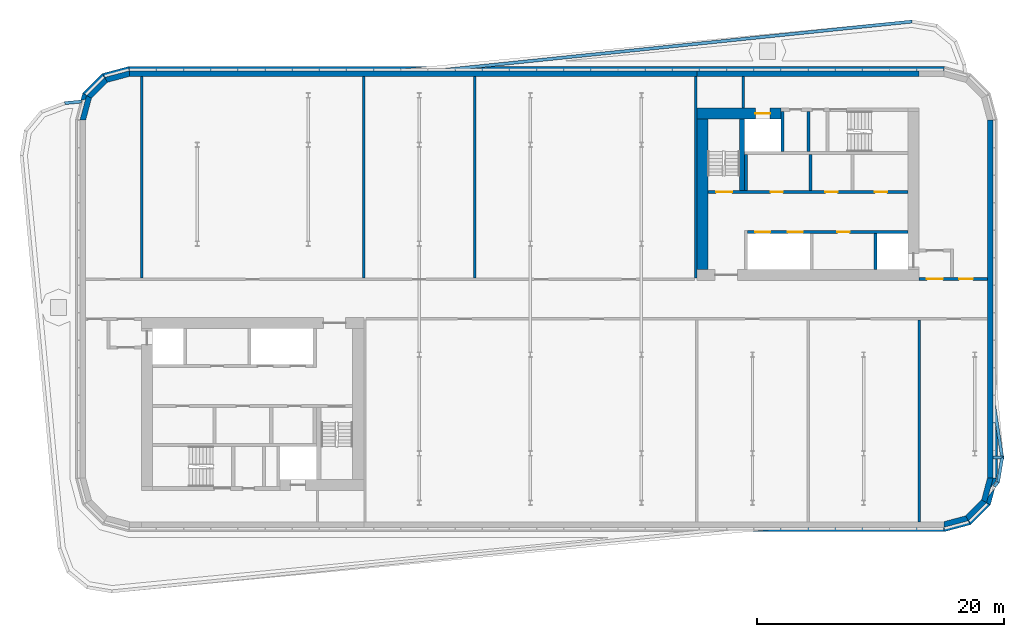
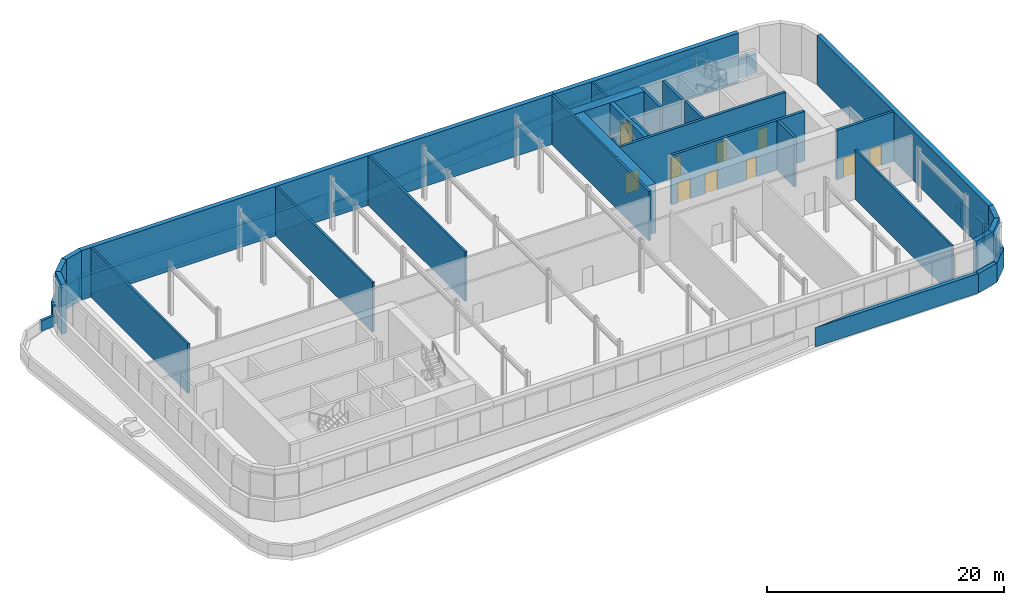
# One storey, part 8 of 16: 44 walls, 10 doors, 10 openings.
"""IFC4 building model written with IfcOpenShell, lengths in metres."""

from ifc_helpers import new_model, si_unit, direction, frame, frame_2d, origin, place, context, subcontext, project, spatial, polyline, rectangle, outline, extrude, material, layer, layer_set, type_object, element, fill, save


model = new_model("IFC4")

# Units and contexts
model_context = context("Model", 3, precision=1e-05, world=origin(), true_north=direction((0.0, 1.0)))
body_context = subcontext(model_context, "Body", "Model", "MODEL_VIEW")
ifc_project = project(units=[si_unit("LENGTHUNIT", "METRE"), si_unit("AREAUNIT", "SQUARE_METRE"), si_unit("VOLUMEUNIT", "CUBIC_METRE"), si_unit("PLANEANGLEUNIT", "RADIAN"), si_unit("MASSUNIT", "GRAM", prefix="KILO")], contexts=[model_context])

# Site, building, storey
site_placement = place(None, origin())
site = spatial("IfcSite", under=ifc_project, at=site_placement, CompositionType="ELEMENT")
building_placement = place(site_placement, origin())
building = spatial("IfcBuilding", under=site, at=building_placement, Name="Kajstack Hotel Tower", CompositionType="ELEMENT")
storey_placement = place(building_placement, frame((0.0, 0.0, 308.10009765625)))
storey = spatial("IfcBuildingStorey", under=building, at=storey_placement, Name="L78", CompositionType="ELEMENT", Elevation=308.10009765625)

# Walls
ifc_material_1 = material(Name="Concrete C40/50", Category="concrete")
ifc_layer_1 = layer(ifc_material_1, 0.35009765625)
ifc_layer_set_1 = layer_set([ifc_layer_1], Name="CROWN-BAND")
wall_type_1 = type_object("IfcWallType", Name="CROWN-BAND", PredefinedType="SOLIDWALL", material=ifc_layer_set_1)
wall_1_placement = place(storey_placement, origin())
element("IfcWall", 1, at=wall_1_placement, inside=storey, type_object=wall_type_1, Name="Crown band 4", PredefinedType="SOLIDWALL", context=body_context, shape_type="SweptSolid", body=[
    extrude(outline(polyline([(21.26953125, -18.5), (17.634765625, -18.85009765625), (33.546142578125, -18.85009765625), (33.5, -18.5), (21.26953125, -18.5)])), origin(), (0.0, 0.0, 1.0), 2.0),
])
wall_2_placement = place(storey_placement, origin())
element("IfcWall", 2, at=wall_2_placement, inside=storey, type_object=wall_type_1, Name="Crown band 5", PredefinedType="SOLIDWALL", context=body_context, shape_type="SweptSolid", body=[
    extrude(outline(polyline([(33.5, -18.5), (33.546142578125, -18.85009765625), (35.68115234375, -18.27783203125), (35.5, -17.964111328125), (33.5, -18.5)])), origin(), (0.0, 0.0, 1.0), 2.0),
])
wall_3_placement = place(storey_placement, origin())
element("IfcWall", 3, at=wall_3_placement, inside=storey, type_object=wall_type_1, Name="Crown band 6", PredefinedType="SOLIDWALL", context=body_context, shape_type="SweptSolid", body=[
    extrude(outline(polyline([(35.5, -17.964111328125), (35.68115234375, -18.27783203125), (37.27783203125, -16.68115234375), (36.964111328125, -16.5), (35.5, -17.964111328125)])), origin(), (0.0, 0.0, 1.0), 2.0),
])
wall_4_placement = place(storey_placement, origin())
element("IfcWall", 4, at=wall_4_placement, inside=storey, type_object=wall_type_1, Name="Crown band 7", PredefinedType="SOLIDWALL", context=body_context, shape_type="SweptSolid", body=[
    extrude(outline(polyline([(36.964111328125, -16.5), (37.27783203125, -16.68115234375), (37.638916015625, -15.334228515625), (37.10205078125, -15.9853515625), (36.964111328125, -16.5)])), origin(), (0.0, 0.0, 1.0), 2.0),
])
wall_5_placement = place(storey_placement, origin())
element("IfcWall", 5, at=wall_5_placement, inside=storey, type_object=wall_type_1, Name="Crown band 8", PredefinedType="SOLIDWALL", context=body_context, shape_type="SweptSolid", body=[
    extrude(outline(polyline([(37.289306640625, -15.28662109375), (37.73193359375, -14.74951171875), (37.767822265625, -14.53515625), (37.5, -14.5), (37.289306640625, -15.28662109375)])), origin(), (0.0, 0.0, 1.0), 2.0),
])
wall_6_placement = place(storey_placement, origin())
element("IfcWall", 6, at=wall_6_placement, inside=storey, type_object=wall_type_1, Name="Crown band 9", PredefinedType="SOLIDWALL", context=body_context, shape_type="SweptSolid", body=[
    extrude(outline(polyline([(37.5, -14.5), (37.767822265625, -14.53515625), (37.85009765625, -14.0439453125), (37.85009765625, -12.966796875), (37.5, -12.966796875), (37.5, -14.5)])), origin(), (0.0, 0.0, 1.0), 2.0),
])
wall_7_placement = place(storey_placement, origin())
element("IfcWall", 7, at=wall_7_placement, inside=storey, type_object=wall_type_1, Name="Crown band 10", PredefinedType="SOLIDWALL", context=body_context, shape_type="SweptSolid", body=[
    extrude(outline(polyline([(37.5, -12.697021484375), (37.85009765625, -12.697021484375), (37.85009765625, -11.254150390625), (37.5, -8.988037109375), (37.5, -12.697021484375)])), origin(), (0.0, 0.0, 1.0), 2.0),
])
wall_8_placement = place(storey_placement, origin())
element("IfcWall", 8, at=wall_8_placement, inside=storey, type_object=wall_type_1, Name="Crown band 16", PredefinedType="SOLIDWALL", context=body_context, shape_type="SweptSolid", body=[
    extrude(outline(polyline([(33.5, 18.5), (33.546142578125, 18.85009765625), (-2.950439453125, 18.85009765625), (-6.334716796875, 18.5), (33.5, 18.5)])), origin(), (0.0, 0.0, 1.0), 2.0),
])
wall_9_placement = place(storey_placement, origin())
element("IfcWall", 9, at=wall_9_placement, inside=storey, type_object=wall_type_1, Name="Crown band 17", PredefinedType="SOLIDWALL", context=body_context, shape_type="SweptSolid", body=[
    extrude(outline(polyline([(-11.80712890625, 18.5), (-8.17236328125, 18.85009765625), (-32.546142578125, 18.85009765625), (-32.5, 18.5), (-11.80712890625, 18.5)])), origin(), (0.0, 0.0, 1.0), 2.0),
])
wall_10_placement = place(storey_placement, origin())
element("IfcWall", 10, at=wall_10_placement, inside=storey, type_object=wall_type_1, Name="Crown band 18", PredefinedType="SOLIDWALL", context=body_context, shape_type="SweptSolid", body=[
    extrude(outline(polyline([(-32.5, 18.5), (-32.546142578125, 18.85009765625), (-34.68115234375, 18.27783203125), (-34.5, 17.964111328125), (-32.5, 18.5)])), origin(), (0.0, 0.0, 1.0), 2.0),
])
wall_11_placement = place(storey_placement, origin())
element("IfcWall", 11, at=wall_11_placement, inside=storey, type_object=wall_type_1, Name="Crown band 19", PredefinedType="SOLIDWALL", context=body_context, shape_type="SweptSolid", body=[
    extrude(outline(polyline([(-34.5, 17.964111328125), (-34.68115234375, 18.27783203125), (-36.27783203125, 16.68115234375), (-35.964111328125, 16.5), (-34.5, 17.964111328125)])), origin(), (0.0, 0.0, 1.0), 2.0),
])
wall_12_placement = place(storey_placement, origin())
element("IfcWall", 12, at=wall_12_placement, inside=storey, type_object=wall_type_1, Name="Crown band 20", PredefinedType="SOLIDWALL", context=body_context, shape_type="SweptSolid", body=[
    extrude(outline(polyline([(-35.964111328125, 16.5), (-36.27783203125, 16.68115234375), (-36.4228515625, 16.139892578125), (-36.383544921875, 16.1435546875), (-36.382568359375, 16.133544921875), (-36.0537109375, 16.165283203125), (-35.964111328125, 16.5)])), origin(), (0.0, 0.0, 1.0), 2.0),
])

# Wall, opening, door
ifc_material_2 = material(Name="Concrete C60/75", Category="concrete")
ifc_layer_2 = layer(ifc_material_2, 0.89990234375)
ifc_layer_set_2 = layer_set([ifc_layer_2], Name="Core wall 900")
wall_type_2 = type_object("IfcWallType", Name="Core wall 900", PredefinedType="SHEAR", material=ifc_layer_set_2)
wall_13_placement = place(storey_placement, frame((13.5, 15.050048828125, 0.0), z_axis=(0.0, 0.0, 1.0), x_axis=(1.0, 0.0, 0.0)))
wall_13 = element("IfcWall", 13, at=wall_13_placement, inside=storey, type_object=wall_type_2, Name="Core wall E RS", PredefinedType="SHEAR", context=body_context, shape_type="SweptSolid", body=[
    extrude(rectangle(XDim=6.800048828125, YDim=0.89990234375, at=frame_2d((3.39990234375, 0.0))), origin(), (0.0, 0.0, 1.0), 5.099853515625),
])
opening_1_placement = place(wall_13_placement, frame((4.72509765625, 0.0, 0.0)))
opening_1 = element("IfcOpeningElement", 14, at=opening_1_placement, cuts=wall_13, Name="Opening LD-SV2", PredefinedType="OPENING", context=body_context, shape_type="SweptSolid", body=[
    extrude(rectangle(XDim=1.199951171875, YDim=2.10009765625, at=frame_2d((0.60009765625, 1.050048828125))), frame((0.0, 0.4599609375, 0.0), z_axis=(0.0, -1.0, 0.0), x_axis=(1.0, 0.0, 0.0)), (0.0, 0.0, 1.0), 0.919921875),
])
ifc_material_3 = material(Name="Stainless steel", Category="steel")
door_type_1 = type_object("IfcDoorType", Name="Lift landing door 1200", OperationType="SLIDING_TO_LEFT", PredefinedType="DOOR", material=ifc_material_3)
door_1_placement = place(opening_1_placement, origin())
door_1 = element("IfcDoor", 15, at=door_1_placement, inside=storey, type_object=door_type_1, Name="Landing door SV2", OperationType="SLIDING_TO_LEFT", OverallHeight=2.10009765625, OverallWidth=1.199951171875, PredefinedType="DOOR", context=body_context, shape_type="SweptSolid", body=[
    extrude(rectangle(XDim=1.199951171875, YDim=2.10009765625, at=frame_2d((0.60009765625, 1.050048828125))), frame((0.0, 0.02490234375, 0.0), z_axis=(0.0, -1.0, 0.0), x_axis=(1.0, 0.0, 0.0)), (0.0, 0.0, 1.0), 0.050048828125),
])
fill(opening_1, door_1)

# Walls
wall_14_placement = place(storey_placement, frame((13.949951171875, 2.39990234375, 0.0), z_axis=(0.0, 0.0, 1.0), x_axis=(0.0, 1.0, 0.0)))
element("IfcWall", 16, at=wall_14_placement, inside=storey, type_object=wall_type_2, Name="Core wall E RE", PredefinedType="SHEAR", context=body_context, shape_type="SweptSolid", body=[
    extrude(rectangle(XDim=12.2001953125, YDim=0.89990234375, at=frame_2d((6.10009765625, 0.0))), origin(), (0.0, 0.0, 1.0), 5.099853515625),
])
ifc_layer_3 = layer(ifc_material_1, 0.449951171875)
ifc_layer_set_3 = layer_set([ifc_layer_3], Name="EW-CORE")
wall_type_3 = type_object("IfcWallType", Name="EW-CORE", PredefinedType="SOLIDWALL", material=ifc_layer_set_3)
wall_15_placement = place(storey_placement, frame((31.5, 18.27490234375, 0.0), z_axis=(0.0, 0.0, 1.0), x_axis=(-1.0, 0.0, 0.0)))
element("IfcWall", 17, at=wall_15_placement, inside=storey, type_object=wall_type_3, Name="E-wall-L78-11-01", PredefinedType="SOLIDWALL", context=body_context, shape_type="SweptSolid", body=[
    extrude(rectangle(XDim=18.0, YDim=0.449951171875, at=frame_2d((9.0, 0.0))), origin(), (0.0, 0.0, 1.0), 5.099853515625),
])
ifc_material_4 = material(Name="Zinc-clad block masonry", Category="masonry")
ifc_layer_4 = layer(ifc_material_4, 0.449951171875)
ifc_layer_set_4 = layer_set([ifc_layer_4], Name="EW-ZINC")
wall_type_4 = type_object("IfcWallType", Name="EW-ZINC", PredefinedType="SOLIDWALL", material=ifc_layer_set_4)
wall_16_placement = place(storey_placement, frame((33.441650390625, -18.28271484375, 0.0), z_axis=(0.0, 0.0, 1.0), x_axis=(0.965926999034, 0.25881466832, 0.0)))
element("IfcWall", 18, at=wall_16_placement, inside=storey, type_object=wall_type_4, Name="E-wall-L78-04-00", PredefinedType="SOLIDWALL", context=body_context, shape_type="SweptSolid", body=[
    extrude(outline(polyline([(0.000244140625, -0.22509765625), (2.070556640625, -0.224853515625), (1.9501953125, 0.22509765625), (0.12060546875, 0.22509765625), (0.000244140625, -0.22509765625)])), origin(), (0.0, 0.0, 1.0), 5.099853515625),
])
wall_17_placement = place(storey_placement, frame((35.3408203125, -17.804931640625, 0.0), z_axis=(0.0, 0.0, 1.0), x_axis=(0.707106781187, 0.707106781187, 0.0)))
element("IfcWall", 19, at=wall_17_placement, inside=storey, type_object=wall_type_4, Name="E-wall-L78-05-00", PredefinedType="SOLIDWALL", context=body_context, shape_type="SweptSolid", body=[
    extrude(outline(polyline([(0.0, -0.22509765625), (2.070556640625, -0.22509765625), (1.949951171875, 0.224853515625), (0.12060546875, 0.224853515625), (0.0, -0.22509765625)])), origin(), (0.0, 0.0, 1.0), 5.099853515625),
])
wall_18_placement = place(storey_placement, frame((36.746826171875, -16.441650390625, 0.0), z_axis=(0.0, 0.0, 1.0), x_axis=(0.25881466832, 0.965926999034, 0.0)))
element("IfcWall", 20, at=wall_18_placement, inside=storey, type_object=wall_type_4, Name="E-wall-L78-06-00", PredefinedType="SOLIDWALL", context=body_context, shape_type="SweptSolid", body=[
    extrude(outline(polyline([(-0.000244140625, -0.224853515625), (2.0703125, -0.22509765625), (1.949951171875, 0.22509765625), (0.120361328125, 0.22509765625), (-0.000244140625, -0.224853515625)])), origin(), (0.0, 0.0, 1.0), 5.099853515625),
])
wall_19_placement = place(storey_placement, frame((37.27490234375, -14.5, 0.0), z_axis=(0.0, 0.0, 1.0), x_axis=(0.0, 1.0, 0.0)))
element("IfcWall", 21, at=wall_19_placement, inside=storey, type_object=wall_type_4, Name="E-wall-L78-07-00", PredefinedType="SOLIDWALL", context=body_context, shape_type="SweptSolid", body=[
    extrude(rectangle(XDim=29.0, YDim=0.449951171875, at=frame_2d((14.5, 0.0))), origin(), (0.0, 0.0, 1.0), 5.099853515625),
])
wall_20_placement = place(storey_placement, frame((13.5, 18.27490234375, 0.0), z_axis=(0.0, 0.0, 1.0), x_axis=(-1.0, 0.0, 0.0)))
element("IfcWall", 22, at=wall_20_placement, inside=storey, type_object=wall_type_4, Name="E-wall-L78-11-02", PredefinedType="SOLIDWALL", context=body_context, shape_type="SweptSolid", body=[
    extrude(rectangle(XDim=46.0, YDim=0.449951171875, at=frame_2d((23.0, 0.0))), origin(), (0.0, 0.0, 1.0), 5.099853515625),
])
wall_21_placement = place(storey_placement, frame((-32.441650390625, 18.28271484375, 0.0), z_axis=(0.0, 0.0, 1.0), x_axis=(-0.965926999034, -0.25881466832, 0.0)))
element("IfcWall", 23, at=wall_21_placement, inside=storey, type_object=wall_type_4, Name="E-wall-L78-12-00", PredefinedType="SOLIDWALL", context=body_context, shape_type="SweptSolid", body=[
    extrude(outline(polyline([(0.000244140625, -0.22509765625), (2.070556640625, -0.224853515625), (1.9501953125, 0.22509765625), (0.12060546875, 0.22509765625), (0.000244140625, -0.22509765625)])), origin(), (0.0, 0.0, 1.0), 5.099853515625),
])
wall_22_placement = place(storey_placement, frame((-34.3408203125, 17.804931640625, 0.0), z_axis=(0.0, 0.0, 1.0), x_axis=(-0.707106781187, -0.707106781187, 0.0)))
element("IfcWall", 24, at=wall_22_placement, inside=storey, type_object=wall_type_4, Name="E-wall-L78-13-00", PredefinedType="SOLIDWALL", context=body_context, shape_type="SweptSolid", body=[
    extrude(outline(polyline([(0.0, -0.22509765625), (2.070556640625, -0.22509765625), (1.949951171875, 0.224853515625), (0.12060546875, 0.224853515625), (0.0, -0.22509765625)])), origin(), (0.0, 0.0, 1.0), 5.099853515625),
])
wall_23_placement = place(storey_placement, frame((-35.746826171875, 16.441650390625, 0.0), z_axis=(0.0, 0.0, 1.0), x_axis=(-0.25881466832, -0.965926999034, 0.0)))
element("IfcWall", 25, at=wall_23_placement, inside=storey, type_object=wall_type_4, Name="E-wall-L78-14-00", PredefinedType="SOLIDWALL", context=body_context, shape_type="SweptSolid", body=[
    extrude(outline(polyline([(-0.000244140625, -0.224853515625), (2.0703125, -0.22509765625), (1.949951171875, 0.22509765625), (0.120361328125, 0.22509765625), (-0.000244140625, -0.224853515625)])), origin(), (0.0, 0.0, 1.0), 5.099853515625),
])
ifc_layer_5 = layer(ifc_material_4, 0.25)
ifc_layer_set_5 = layer_set([ifc_layer_5], Name="PARAPET-ZINC")
wall_type_5 = type_object("IfcWallType", Name="PARAPET-ZINC", PredefinedType="PARAPET", material=ifc_layer_set_5)
wall_24_placement = place(storey_placement, origin())
element("IfcWall", 26, at=wall_24_placement, inside=storey, type_object=wall_type_5, Name="Parapet L78-01-01-09", PredefinedType="PARAPET", context=body_context, shape_type="SweptSolid", body=[
    extrude(outline(polyline([(-37.758056640625, 16.001220703125), (-37.701416015625, 15.755615234375), (-36.36865234375, 15.8837890625), (-36.392578125, 16.1328125), (-37.758056640625, 16.001220703125)])), origin(), (0.0, 0.0, 1.0), 1.099853515625),
])
wall_25_placement = place(storey_placement, origin())
element("IfcWall", 27, at=wall_25_placement, inside=storey, type_object=wall_type_5, Name="Parapet L78-02-01-01", PredefinedType="PARAPET", context=body_context, shape_type="SweptSolid", body=[
    extrude(outline(polyline([(-7.659912109375, 18.624267578125), (-7.647216796875, 18.5009765625), (-6.42236328125, 18.5009765625), (30.932861328125, 22.3642578125), (30.906982421875, 22.613037109375), (-7.659912109375, 18.624267578125)])), origin(), (0.0, 0.0, 1.0), 1.099853515625),
])
wall_26_placement = place(storey_placement, origin())
element("IfcWall", 28, at=wall_26_placement, inside=storey, type_object=wall_type_5, Name="Parapet L78-03-01-01", PredefinedType="PARAPET", context=body_context, shape_type="SweptSolid", body=[
    extrude(outline(polyline([(37.5009765625, -12.706787109375), (37.5009765625, -12.956787109375), (38.08251953125, -12.956787109375), (38.3779296875, -12.706787109375), (37.5009765625, -12.706787109375)])), origin(), (0.0, 0.0, 1.0), 1.099853515625),
])
wall_27_placement = place(storey_placement, origin())
element("IfcWall", 29, at=wall_27_placement, inside=storey, type_object=wall_type_5, Name="Parapet L78-03-01-02", PredefinedType="PARAPET", context=body_context, shape_type="SweptSolid", body=[
    extrude(outline(polyline([(38.3779296875, -12.706787109375), (38.08251953125, -12.956787109375), (37.779052734375, -14.77099609375), (38.014404296875, -14.87841796875), (38.3779296875, -12.706787109375)])), origin(), (0.0, 0.0, 1.0), 1.099853515625),
])
wall_28_placement = place(storey_placement, origin())
element("IfcWall", 30, at=wall_28_placement, inside=storey, type_object=wall_type_5, Name="Parapet L78-03-01-03", PredefinedType="PARAPET", context=body_context, shape_type="SweptSolid", body=[
    extrude(outline(polyline([(38.014404296875, -14.87841796875), (37.779052734375, -14.77099609375), (37.50537109375, -15.10302734375), (37.6982421875, -15.261962890625), (38.014404296875, -14.87841796875)])), origin(), (0.0, 0.0, 1.0), 1.099853515625),
])
wall_29_placement = place(storey_placement, origin())
element("IfcWall", 31, at=wall_29_placement, inside=storey, type_object=wall_type_5, Name="Parapet L78-03-02-01", PredefinedType="PARAPET", context=body_context, shape_type="SweptSolid", body=[
    extrude(outline(polyline([(37.62353515625, -8.08447265625), (37.5009765625, -8.103271484375), (37.5009765625, -8.928955078125), (38.08447265625, -12.706787109375), (38.3759765625, -12.956787109375), (37.62353515625, -8.08447265625)])), origin(), (0.0, 0.0, 1.0), 1.099853515625),
])
ifc_material_5 = material(Name="Gypsum board on steel studs, mineral wool", Category="steel")
ifc_layer_6 = layer(ifc_material_5, 0.199951171875)
ifc_layer_set_6 = layer_set([ifc_layer_6], Name="Public partition 200")
wall_type_6 = type_object("IfcWallType", Name="Public partition 200", PredefinedType="PARTITIONING", material=ifc_layer_set_6)
for number, where, z_axis, x_axis, name in (
    (32, (-4.5, 1.699951171875, 0.0), (0.0, 0.0, 1.0), (0.0, 1.0, 0.0), "Partition PX0"),
    (33, (-13.5, 1.699951171875, 0.0), (0.0, 0.0, 1.0), (0.0, 1.0, 0.0), "Partition PX1"),
    (34, (-31.5, 1.699951171875, 0.0), (0.0, 0.0, 1.0), (0.0, 1.0, 0.0), "Partition PX2"),
    (35, (13.39990234375, 1.699951171875, 0.0), (0.0, 0.0, 1.0), (0.0, 1.0, 0.0), "Partition EW"),
    (36, (31.5, -18.050048828125, 0.0), (0.0, 0.0, 1.0), (0.0, 1.0, 0.0), "Partition SPX2"),
):
    element("IfcWall", number, at=place(storey_placement, frame(where, z_axis=z_axis, x_axis=x_axis)), inside=storey, type_object=wall_type_6, Name=name, PredefinedType="PARTITIONING", context=body_context, shape_type="SweptSolid", body=[
        extrude(rectangle(XDim=16.35009765625, YDim=0.199951171875, at=frame_2d((8.175048828125, 0.0))), origin(), (0.0, 0.0, 1.0), 5.099853515625),
    ])
ifc_material_6 = material(Name="Concrete block masonry", Category="masonry")
ifc_layer_7 = layer(ifc_material_6, 0.25)
ifc_layer_set_7 = layer_set([ifc_layer_7], Name="Riser partition 250")
wall_type_7 = type_object("IfcWallType", Name="Riser partition 250", PredefinedType="PARTITIONING", material=ifc_layer_set_7)
wall_30_placement = place(storey_placement, frame((22.699951171875, 8.800048828125, 0.0), z_axis=(0.0, 0.0, 1.0), x_axis=(0.0, 1.0, 0.0)))
element("IfcWall", 37, at=wall_30_placement, inside=storey, type_object=wall_type_7, Name="Partition E BF1", PredefinedType="PARTITIONING", context=body_context, shape_type="SweptSolid", body=[
    extrude(rectangle(XDim=2.89990234375, YDim=0.25, at=frame_2d((1.449951171875, 0.0))), origin(), (0.0, 0.0, 1.0), 5.099853515625),
])
wall_31_placement = place(storey_placement, frame((22.550048828125, 11.949951171875, 0.0), z_axis=(0.0, 0.0, 1.0), x_axis=(0.0, 1.0, 0.0)))
element("IfcWall", 38, at=wall_31_placement, inside=storey, type_object=wall_type_7, Name="Partition E SZ0", PredefinedType="PARTITIONING", context=body_context, shape_type="SweptSolid", body=[
    extrude(rectangle(XDim=3.25, YDim=0.25, at=frame_2d((1.625, 0.0))), origin(), (0.0, 0.0, 1.0), 5.099853515625),
])

# Wall, openings, doors
ifc_layer_8 = layer(ifc_material_5, 0.199951171875)
ifc_layer_set_8 = layer_set([ifc_layer_8], Name="Service partition 200")
wall_type_8 = type_object("IfcWallType", Name="Service partition 200", PredefinedType="PARTITIONING", material=ifc_layer_set_8)
wall_32_placement = place(storey_placement, frame((31.5, 1.625, 0.0), z_axis=(0.0, 0.0, 1.0), x_axis=(1.0, 0.0, 0.0)))
wall_32 = element("IfcWall", 39, at=wall_32_placement, inside=storey, type_object=wall_type_8, Name="Partition E SN", PredefinedType="PARTITIONING", context=body_context, shape_type="SweptSolid", body=[
    extrude(rectangle(XDim=5.550048828125, YDim=0.25, at=frame_2d((2.77490234375, 0.0))), origin(), (0.0, 0.0, 1.0), 5.099853515625),
])
opening_2_placement = place(wall_32_placement, frame((0.625, 0.0, 0.0)))
opening_2 = element("IfcOpeningElement", 40, at=opening_2_placement, cuts=wall_32, Name="Opening 78E06", PredefinedType="OPENING", context=body_context, shape_type="SweptSolid", body=[
    extrude(rectangle(XDim=1.300048828125, YDim=2.10009765625, at=frame_2d((0.64990234375, 1.050048828125))), frame((0.0, 0.135009765625, 0.0), z_axis=(0.0, -1.0, 0.0), x_axis=(1.0, 0.0, 0.0)), (0.0, 0.0, 1.0), 0.27001953125),
])
opening_3_placement = place(wall_32_placement, frame((3.25, 0.0, 0.0)))
opening_3 = element("IfcOpeningElement", 41, at=opening_3_placement, cuts=wall_32, Name="Opening 78E08", PredefinedType="OPENING", context=body_context, shape_type="SweptSolid", body=[
    extrude(rectangle(XDim=1.10009765625, YDim=2.10009765625, at=frame_2d((0.550048828125, 1.050048828125))), frame((0.0, 0.135009765625, 0.0), z_axis=(0.0, -1.0, 0.0), x_axis=(1.0, 0.0, 0.0)), (0.0, 0.0, 1.0), 0.27001953125),
])
ifc_material_7 = material(Name="Steel leaf, fire-rated", Category="steel")
door_type_2 = type_object("IfcDoorType", Name="Fire lobby door 1300", OperationType="SINGLE_SWING_LEFT", PredefinedType="DOOR", material=ifc_material_7)
door_2_placement = place(opening_2_placement, origin())
door_2 = element("IfcDoor", 42, at=door_2_placement, inside=storey, type_object=door_type_2, Name="Door 78E06", OperationType="SINGLE_SWING_LEFT", OverallHeight=2.10009765625, OverallWidth=1.300048828125, PredefinedType="DOOR", context=body_context, shape_type="SweptSolid", body=[
    extrude(rectangle(XDim=1.300048828125, YDim=2.10009765625, at=frame_2d((0.64990234375, 1.050048828125))), frame((0.0, 0.02490234375, 0.0), z_axis=(0.0, -1.0, 0.0), x_axis=(1.0, 0.0, 0.0)), (0.0, 0.0, 1.0), 0.050048828125),
])
fill(opening_2, door_2)
ifc_material_8 = material(Name="Timber leaf, fire-rated", Category="wood")
door_type_3 = type_object("IfcDoorType", Name="Service corridor door 1100", OperationType="SINGLE_SWING_LEFT", PredefinedType="DOOR", material=ifc_material_8)
door_3_placement = place(opening_3_placement, origin())
door_3 = element("IfcDoor", 43, at=door_3_placement, inside=storey, type_object=door_type_3, Name="Door 78E08", OperationType="SINGLE_SWING_LEFT", OverallHeight=2.10009765625, OverallWidth=1.10009765625, PredefinedType="DOOR", context=body_context, shape_type="SweptSolid", body=[
    extrude(rectangle(XDim=1.10009765625, YDim=2.10009765625, at=frame_2d((0.550048828125, 1.050048828125))), frame((0.0, 0.02490234375, 0.0), z_axis=(0.0, -1.0, 0.0), x_axis=(1.0, 0.0, 0.0)), (0.0, 0.0, 1.0), 0.050048828125),
])
fill(opening_3, door_3)

# Wall
wall_33_placement = place(storey_placement, frame((17.25, 15.5, 0.0), z_axis=(0.0, 0.0, 1.0), x_axis=(0.0, 1.0, 0.0)))
element("IfcWall", 44, at=wall_33_placement, inside=storey, type_object=wall_type_8, Name="Partition E SCE", PredefinedType="PARTITIONING", context=body_context, shape_type="SweptSolid", body=[
    extrude(rectangle(XDim=2.550048828125, YDim=0.199951171875, at=frame_2d((1.27490234375, 0.0))), origin(), (0.0, 0.0, 1.0), 5.099853515625),
])

# Wall, openings, doors
ifc_material_9 = material(Name="Concrete C50/60", Category="concrete")
ifc_layer_9 = layer(ifc_material_9, 0.25)
ifc_layer_set_9 = layer_set([ifc_layer_9], Name="Shaft wall 250")
wall_type_9 = type_object("IfcWallType", Name="Shaft wall 250", PredefinedType="SHEAR", material=ifc_layer_set_9)
wall_34_placement = place(storey_placement, frame((17.60009765625, 5.425048828125, 0.0), z_axis=(0.0, 0.0, 1.0), x_axis=(1.0, 0.0, 0.0)))
wall_34 = element("IfcWall", 45, at=wall_34_placement, inside=storey, type_object=wall_type_9, Name="Core wall E FA", PredefinedType="SHEAR", context=body_context, shape_type="SweptSolid", body=[
    extrude(rectangle(XDim=13.0, YDim=0.25, at=frame_2d((6.5, 0.0))), origin(), (0.0, 0.0, 1.0), 5.099853515625),
])
opening_4_placement = place(wall_34_placement, frame((3.27490234375, 0.0, 0.0)))
opening_4 = element("IfcOpeningElement", 46, at=opening_4_placement, cuts=wall_34, Name="Opening LD-HR3", PredefinedType="OPENING", context=body_context, shape_type="SweptSolid", body=[
    extrude(rectangle(XDim=1.199951171875, YDim=2.10009765625, at=frame_2d((0.60009765625, 1.050048828125))), frame((0.0, 0.135009765625, 0.0), z_axis=(0.0, -1.0, 0.0), x_axis=(1.0, 0.0, 0.0)), (0.0, 0.0, 1.0), 0.27001953125),
])
opening_5_placement = place(wall_34_placement, frame((0.625, 0.0, 0.0)))
opening_5 = element("IfcOpeningElement", 47, at=opening_5_placement, cuts=wall_34, Name="Opening LD-HR4", PredefinedType="OPENING", context=body_context, shape_type="SweptSolid", body=[
    extrude(rectangle(XDim=1.199951171875, YDim=2.10009765625, at=frame_2d((0.60009765625, 1.050048828125))), frame((0.0, 0.135009765625, 0.0), z_axis=(0.0, -1.0, 0.0), x_axis=(1.0, 0.0, 0.0)), (0.0, 0.0, 1.0), 0.27001953125),
])
opening_6_placement = place(wall_34_placement, frame((7.27490234375, 0.0, 0.0)))
opening_6 = element("IfcOpeningElement", 48, at=opening_6_placement, cuts=wall_34, Name="Opening 78E16", PredefinedType="OPENING", context=body_context, shape_type="SweptSolid", body=[
    extrude(rectangle(XDim=1.0, YDim=2.10009765625, at=frame_2d((0.5, 1.050048828125))), frame((0.0, 0.135009765625, 0.0), z_axis=(0.0, -1.0, 0.0), x_axis=(1.0, 0.0, 0.0)), (0.0, 0.0, 1.0), 0.27001953125),
])
door_4_placement = place(opening_4_placement, origin())
door_4 = element("IfcDoor", 49, at=door_4_placement, inside=storey, type_object=door_type_1, Name="Landing door HR3", OperationType="SLIDING_TO_RIGHT", OverallHeight=2.10009765625, OverallWidth=1.199951171875, PredefinedType="DOOR", context=body_context, shape_type="SweptSolid", body=[
    extrude(rectangle(XDim=1.199951171875, YDim=2.10009765625, at=frame_2d((0.60009765625, 1.050048828125))), frame((0.0, 0.02490234375, 0.0), z_axis=(0.0, -1.0, 0.0), x_axis=(1.0, 0.0, 0.0)), (0.0, 0.0, 1.0), 0.050048828125),
])
fill(opening_4, door_4)
door_5_placement = place(opening_5_placement, origin())
door_5 = element("IfcDoor", 50, at=door_5_placement, inside=storey, type_object=door_type_1, Name="Landing door HR4", OperationType="SLIDING_TO_LEFT", OverallHeight=2.10009765625, OverallWidth=1.199951171875, PredefinedType="DOOR", context=body_context, shape_type="SweptSolid", body=[
    extrude(rectangle(XDim=1.199951171875, YDim=2.10009765625, at=frame_2d((0.60009765625, 1.050048828125))), frame((0.0, 0.02490234375, 0.0), z_axis=(0.0, -1.0, 0.0), x_axis=(1.0, 0.0, 0.0)), (0.0, 0.0, 1.0), 0.050048828125),
])
fill(opening_5, door_5)
door_type_4 = type_object("IfcDoorType", Name="Service room door 1000", OperationType="SINGLE_SWING_LEFT", PredefinedType="DOOR", material=ifc_material_8)
door_6_placement = place(opening_6_placement, origin())
door_6 = element("IfcDoor", 51, at=door_6_placement, inside=storey, type_object=door_type_4, Name="Door 78E16", OperationType="SINGLE_SWING_LEFT", OverallHeight=2.10009765625, OverallWidth=1.0, PredefinedType="DOOR", context=body_context, shape_type="SweptSolid", body=[
    extrude(rectangle(XDim=1.0, YDim=2.10009765625, at=frame_2d((0.5, 1.050048828125))), frame((0.0, 0.02490234375, 0.0), z_axis=(0.0, -1.0, 0.0), x_axis=(1.0, 0.0, 0.0)), (0.0, 0.0, 1.0), 0.050048828125),
])
fill(opening_6, door_6)

# Wall
wall_35_placement = place(storey_placement, frame((27.97509765625, 2.39990234375, 0.0), z_axis=(0.0, 0.0, 1.0), x_axis=(0.0, 1.0, 0.0)))
element("IfcWall", 52, at=wall_35_placement, inside=storey, type_object=wall_type_9, Name="Core wall E AP0", PredefinedType="SHEAR", context=body_context, shape_type="SweptSolid", body=[
    extrude(rectangle(XDim=2.900146484375, YDim=0.25, at=frame_2d((1.4501953125, 0.0))), origin(), (0.0, 0.0, 1.0), 5.099853515625),
])

# Wall, openings, doors
wall_36_placement = place(storey_placement, frame((14.39990234375, 8.675048828125, 0.0), z_axis=(0.0, 0.0, 1.0), x_axis=(1.0, 0.0, 0.0)))
wall_36 = element("IfcWall", 53, at=wall_36_placement, inside=storey, type_object=wall_type_9, Name="Core wall E FB", PredefinedType="SHEAR", context=body_context, shape_type="SweptSolid", body=[
    extrude(rectangle(XDim=16.2001953125, YDim=0.25, at=frame_2d((8.10009765625, 0.0))), origin(), (0.0, 0.0, 1.0), 5.099853515625),
])
opening_7_placement = place(wall_36_placement, frame((0.64990234375, 0.0, 0.0)))
opening_7 = element("IfcOpeningElement", 54, at=opening_7_placement, cuts=wall_36, Name="Opening 78E09", PredefinedType="OPENING", context=body_context, shape_type="SweptSolid", body=[
    extrude(rectangle(XDim=1.300048828125, YDim=2.10009765625, at=frame_2d((0.64990234375, 1.050048828125))), frame((0.0, 0.135009765625, 0.0), z_axis=(0.0, -1.0, 0.0), x_axis=(1.0, 0.0, 0.0)), (0.0, 0.0, 1.0), 0.27001953125),
])
opening_8_placement = place(wall_36_placement, frame((13.512451171875, 0.0, 0.0)))
opening_8 = element("IfcOpeningElement", 55, at=opening_8_placement, cuts=wall_36, Name="Opening 78E13", PredefinedType="OPENING", context=body_context, shape_type="SweptSolid", body=[
    extrude(rectangle(XDim=1.0, YDim=2.10009765625, at=frame_2d((0.5, 1.050048828125))), frame((0.0, 0.135009765625, 0.0), z_axis=(0.0, -1.0, 0.0), x_axis=(1.0, 0.0, 0.0)), (0.0, 0.0, 1.0), 0.27001953125),
])
opening_9_placement = place(wall_36_placement, frame((9.5, 0.0, 0.0)))
opening_9 = element("IfcOpeningElement", 56, at=opening_9_placement, cuts=wall_36, Name="Opening 78E14", PredefinedType="OPENING", context=body_context, shape_type="SweptSolid", body=[
    extrude(rectangle(XDim=1.0, YDim=2.10009765625, at=frame_2d((0.5, 1.050048828125))), frame((0.0, 0.135009765625, 0.0), z_axis=(0.0, -1.0, 0.0), x_axis=(1.0, 0.0, 0.0)), (0.0, 0.0, 1.0), 0.27001953125),
])
opening_10_placement = place(wall_36_placement, frame((5.0625, 0.0, 0.0)))
opening_10 = element("IfcOpeningElement", 57, at=opening_10_placement, cuts=wall_36, Name="Opening 78E15", PredefinedType="OPENING", context=body_context, shape_type="SweptSolid", body=[
    extrude(rectangle(XDim=1.0, YDim=2.10009765625, at=frame_2d((0.5, 1.050048828125))), frame((0.0, 0.135009765625, 0.0), z_axis=(0.0, -1.0, 0.0), x_axis=(1.0, 0.0, 0.0)), (0.0, 0.0, 1.0), 0.27001953125),
])
door_7_placement = place(opening_8_placement, origin())
door_7 = element("IfcDoor", 58, at=door_7_placement, inside=storey, type_object=door_type_4, Name="Door 78E13", OperationType="SINGLE_SWING_LEFT", OverallHeight=2.10009765625, OverallWidth=1.0, PredefinedType="DOOR", context=body_context, shape_type="SweptSolid", body=[
    extrude(rectangle(XDim=1.0, YDim=2.10009765625, at=frame_2d((0.5, 1.050048828125))), frame((0.0, 0.02490234375, 0.0), z_axis=(0.0, -1.0, 0.0), x_axis=(1.0, 0.0, 0.0)), (0.0, 0.0, 1.0), 0.050048828125),
])
fill(opening_8, door_7)
door_8_placement = place(opening_9_placement, origin())
door_8 = element("IfcDoor", 59, at=door_8_placement, inside=storey, type_object=door_type_4, Name="Door 78E14", OperationType="SINGLE_SWING_LEFT", OverallHeight=2.10009765625, OverallWidth=1.0, PredefinedType="DOOR", context=body_context, shape_type="SweptSolid", body=[
    extrude(rectangle(XDim=1.0, YDim=2.10009765625, at=frame_2d((0.5, 1.050048828125))), frame((0.0, 0.02490234375, 0.0), z_axis=(0.0, -1.0, 0.0), x_axis=(1.0, 0.0, 0.0)), (0.0, 0.0, 1.0), 0.050048828125),
])
fill(opening_9, door_8)
door_9_placement = place(opening_10_placement, origin())
door_9 = element("IfcDoor", 60, at=door_9_placement, inside=storey, type_object=door_type_4, Name="Door 78E15", OperationType="SINGLE_SWING_LEFT", OverallHeight=2.10009765625, OverallWidth=1.0, PredefinedType="DOOR", context=body_context, shape_type="SweptSolid", body=[
    extrude(rectangle(XDim=1.0, YDim=2.10009765625, at=frame_2d((0.5, 1.050048828125))), frame((0.0, 0.02490234375, 0.0), z_axis=(0.0, -1.0, 0.0), x_axis=(1.0, 0.0, 0.0)), (0.0, 0.0, 1.0), 0.050048828125),
])
fill(opening_10, door_9)
door_type_5 = type_object("IfcDoorType", Name="Stair door 1300", OperationType="SINGLE_SWING_LEFT", PredefinedType="DOOR", material=ifc_material_7)
door_10_placement = place(opening_7_placement, origin())
door_10 = element("IfcDoor", 61, at=door_10_placement, inside=storey, type_object=door_type_5, Name="Door 78E09", OperationType="SINGLE_SWING_LEFT", OverallHeight=2.10009765625, OverallWidth=1.300048828125, PredefinedType="DOOR", context=body_context, shape_type="SweptSolid", body=[
    extrude(rectangle(XDim=1.300048828125, YDim=2.10009765625, at=frame_2d((0.64990234375, 1.050048828125))), frame((0.0, 0.02490234375, 0.0), z_axis=(0.0, -1.0, 0.0), x_axis=(1.0, 0.0, 0.0)), (0.0, 0.0, 1.0), 0.050048828125),
])
fill(opening_7, door_10)

# Walls
wall_37_placement = place(storey_placement, frame((17.47509765625, 8.800048828125, 0.0), z_axis=(0.0, 0.0, 1.0), x_axis=(0.0, 1.0, 0.0)))
element("IfcWall", 62, at=wall_37_placement, inside=storey, type_object=wall_type_9, Name="Core wall E BE", PredefinedType="SHEAR", context=body_context, shape_type="SweptSolid", body=[
    extrude(rectangle(XDim=2.89990234375, YDim=0.25, at=frame_2d((1.449951171875, 0.0))), origin(), (0.0, 0.0, 1.0), 5.099853515625),
])
wall_38_placement = place(storey_placement, frame((20.425048828125, 11.949951171875, 0.0), z_axis=(0.0, 0.0, 1.0), x_axis=(0.0, 1.0, 0.0)))
element("IfcWall", 63, at=wall_38_placement, inside=storey, type_object=wall_type_9, Name="Core wall E SVW", PredefinedType="SHEAR", context=body_context, shape_type="SweptSolid", body=[
    extrude(rectangle(XDim=3.25, YDim=0.25, at=frame_2d((1.625, 0.0))), origin(), (0.0, 0.0, 1.0), 5.099853515625),
])
ifc_layer_10 = layer(ifc_material_9, 0.39990234375)
ifc_layer_set_10 = layer_set([ifc_layer_10], Name="Stair wall 400")
wall_type_10 = type_object("IfcWallType", Name="Stair wall 400", PredefinedType="SHEAR", material=ifc_layer_set_10)
wall_39_placement = place(storey_placement, frame((17.14990234375, 8.800048828125, 0.0), z_axis=(0.0, 0.0, 1.0), x_axis=(0.0, 1.0, 0.0)))
element("IfcWall", 64, at=wall_39_placement, inside=storey, type_object=wall_type_10, Name="Core wall E WW2", PredefinedType="SHEAR", context=body_context, shape_type="SweptSolid", body=[
    extrude(rectangle(XDim=5.800048828125, YDim=0.39990234375, at=frame_2d((2.89990234375, 0.0))), origin(), (0.0, 0.0, 1.0), 5.099853515625),
])

save(model, "model.ifc")
